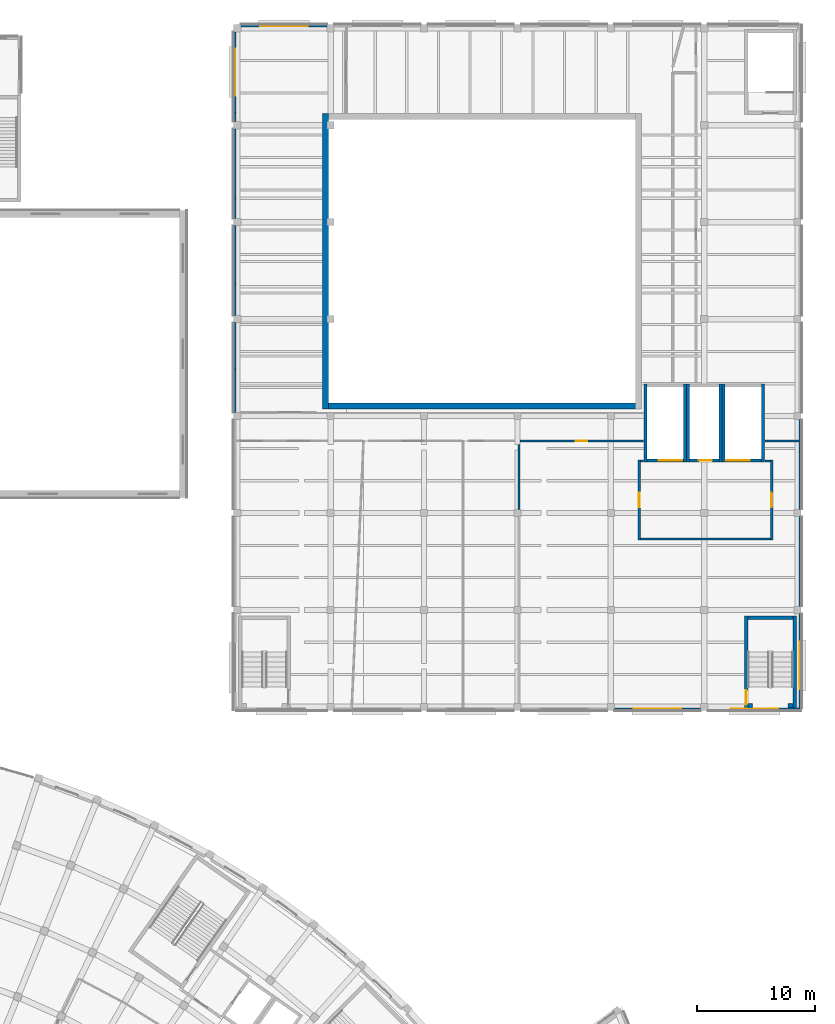
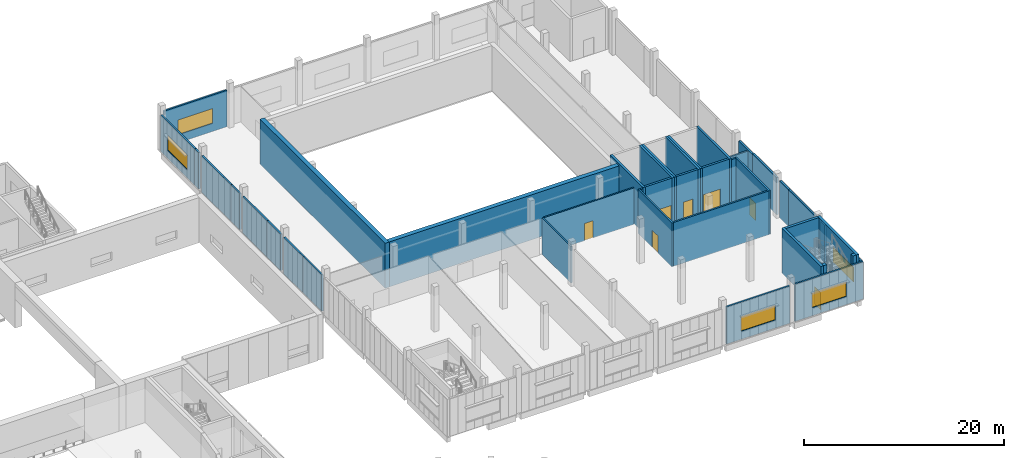
# One storey, part 45 of 87: 41 walls, 7 doors, 5 windows, 12 openings.
"""IFC4 building model written with IfcOpenShell, lengths in metres."""

from ifc_helpers import new_model, si_unit, direction, frame, frame_2d, origin, place, context, subcontext, project, spatial, rectangle, extrude, material, layer, layer_set, type_object, element, fill, save


model = new_model("IFC4")

# Units and contexts
model_context = context("Model", 3, precision=1e-05, world=origin(), true_north=direction((0.0, 1.0)))
body_context = subcontext(model_context, "Body", "Model", "MODEL_VIEW")
ifc_project = project(units=[si_unit("LENGTHUNIT", "METRE"), si_unit("AREAUNIT", "SQUARE_METRE"), si_unit("VOLUMEUNIT", "CUBIC_METRE"), si_unit("PLANEANGLEUNIT", "RADIAN"), si_unit("MASSUNIT", "GRAM", prefix="KILO")], contexts=[model_context])

# Site, building, storey
site_placement = place(None, origin())
site = spatial("IfcSite", under=ifc_project, at=site_placement, CompositionType="ELEMENT")
building_placement = place(site_placement, origin())
building = spatial("IfcBuilding", under=site, at=building_placement, Name="Lunette Opera House", CompositionType="ELEMENT")
storey_placement = place(building_placement, frame((0.0, 0.0, 11.5)))
storey = spatial("IfcBuildingStorey", under=building, at=storey_placement, Name="L02", CompositionType="ELEMENT", Elevation=11.5)

# Wall
ifc_material_1 = material(Name="Plastered clay blockwork", Category="masonry")
ifc_layer_1 = layer(ifc_material_1, 0.175048828125)
ifc_layer_set_1 = layer_set([ifc_layer_1], Name="Plastered clay blockwork")
wall_type_1 = type_object("IfcWallType", Name="ACOUSTIC BLOCK PARTITION 175", PredefinedType="PARTITIONING", material=ifc_layer_set_1)
wall_1_placement = place(storey_placement, frame((160.137939453125, 100.800048828125, 0.0), z_axis=(0.0, 0.0, 1.0), x_axis=(0.0, -1.0, 0.0)))
element("IfcWall", 1, at=wall_1_placement, inside=storey, type_object=wall_type_1, Name="Partition Prop Store", PredefinedType="PARTITIONING", context=body_context, shape_type="SweptSolid", body=[
    extrude(rectangle(XDim=5.799072265625, YDim=0.175048828125, at=frame_2d((2.8994140625, 0.0))), origin(), (0.0, 0.0, 1.0), 4.449951171875),
])

# Wall, opening, door
wall_2_placement = place(storey_placement, frame((170.64990234375, 100.800048828125, 0.0), z_axis=(0.0, 0.0, 1.0), x_axis=(-1.0, 0.0, 0.0)))
wall_2 = element("IfcWall", 2, at=wall_2_placement, inside=storey, type_object=wall_type_1, Name="Partition Prop Store", PredefinedType="PARTITIONING", context=body_context, shape_type="SweptSolid", body=[
    extrude(rectangle(XDim=10.423828125, YDim=0.175048828125, at=frame_2d((5.2119140625, 0.0))), origin(), (0.0, 0.0, 1.0), 4.449951171875),
])
opening_1_placement = place(wall_2_placement, frame((4.73095703125, 0.0, 0.0)))
opening_1 = element("IfcOpeningElement", 3, at=opening_1_placement, cuts=wall_2, Name="Opening WW-D3039", PredefinedType="OPENING", context=body_context, shape_type="SweptSolid", body=[
    extrude(rectangle(XDim=1.0, YDim=2.10009765625, at=frame_2d((0.5, 1.050048828125))), frame((0.0, 0.099609375, 0.0), z_axis=(0.0, -1.0, 0.0), x_axis=(1.0, 0.0, 0.0)), (0.0, 0.0, 1.0), 0.198974609375),
])
ifc_material_2 = material(Name="Timber", Category="wood")
door_type_1 = type_object("IfcDoorType", Name="FLUSH DOOR 1000 X 2100", OperationType="SINGLE_SWING_LEFT", PredefinedType="DOOR", material=ifc_material_2)
door_1_placement = place(opening_1_placement, origin())
door_1 = element("IfcDoor", 4, at=door_1_placement, inside=storey, type_object=door_type_1, Name="Prop Store door", OperationType="SINGLE_SWING_RIGHT", OverallHeight=2.10009765625, OverallWidth=1.0, PredefinedType="DOOR", context=body_context, shape_type="SweptSolid", body=[
    extrude(rectangle(XDim=1.0, YDim=2.10009765625, at=frame_2d((0.5, 1.050048828125))), frame((0.0, 0.02490234375, 0.0), z_axis=(0.0, -1.0, 0.0), x_axis=(1.0, 0.0, 0.0)), (0.0, 0.0, 1.0), 0.050048828125),
])
fill(opening_1, door_1)

# Wall
wall_3_placement = place(storey_placement, frame((183.800048828125, 100.800048828125, 0.0), z_axis=(0.0, 0.0, 1.0), x_axis=(-1.0, 0.0, 0.0)))
element("IfcWall", 5, at=wall_3_placement, inside=storey, type_object=wall_type_1, Name="Partition Prop Store", PredefinedType="PARTITIONING", context=body_context, shape_type="SweptSolid", body=[
    extrude(rectangle(XDim=2.85009765625, YDim=0.175048828125, at=frame_2d((1.425048828125, 0.0))), origin(), (0.0, 0.0, 1.0), 4.35009765625),
])

# Wall, opening, door
ifc_material_3 = material(Name="Concrete C35/45", Category="concrete")
ifc_layer_2 = layer(ifc_material_3, 0.199951171875)
ifc_layer_set_2 = layer_set([ifc_layer_2], Name="Concrete C35/45")
wall_type_2 = type_object("IfcWallType", Name="LOBBY WALL 200", PredefinedType="PARTITIONING", material=ifc_layer_set_2)
wall_4_placement = place(storey_placement, frame((181.5, 92.39990234375, 0.0), z_axis=(0.0, 0.0, 1.0), x_axis=(0.0, 1.0, 0.0)))
wall_4 = element("IfcWall", 6, at=wall_4_placement, inside=storey, type_object=wall_type_2, Name="LL-W lobby wall 1a", PredefinedType="PARTITIONING", context=body_context, shape_type="SweptSolid", body=[
    extrude(rectangle(XDim=6.800048828125, YDim=0.199951171875, at=frame_2d((3.39990234375, 0.0))), origin(), (0.0, 0.0, 1.0), 5.35009765625),
])
opening_2_placement = place(wall_4_placement, frame((2.800048828125, 0.0, 0.0)))
opening_2 = element("IfcOpeningElement", 7, at=opening_2_placement, cuts=wall_4, Name="Opening WW-D7021", PredefinedType="OPENING", context=body_context, shape_type="SweptSolid", body=[
    extrude(rectangle(XDim=1.199951171875, YDim=2.10009765625, at=frame_2d((0.60009765625, 1.050048828125))), frame((0.0, 0.112060546875, 0.0), z_axis=(0.0, -1.0, 0.0), x_axis=(1.0, 0.0, 0.0)), (0.0, 0.0, 1.0), 0.223876953125),
])
ifc_material_4 = material(Name="Steel", Category="steel")
door_type_2 = type_object("IfcDoorType", Name="FIRE DOOR 1200 X 2100", OperationType="SINGLE_SWING_LEFT", PredefinedType="DOOR", material=ifc_material_4)
door_2_placement = place(opening_2_placement, origin())
door_2 = element("IfcDoor", 8, at=door_2_placement, inside=storey, type_object=door_type_2, Name="LL-W lobby door", OperationType="SINGLE_SWING_LEFT", OverallHeight=2.10009765625, OverallWidth=1.199951171875, PredefinedType="DOOR", context=body_context, shape_type="SweptSolid", body=[
    extrude(rectangle(XDim=1.199951171875, YDim=2.10009765625, at=frame_2d((0.60009765625, 1.050048828125))), frame((0.0, 0.02490234375, 0.0), z_axis=(0.0, -1.0, 0.0), x_axis=(1.0, 0.0, 0.0)), (0.0, 0.0, 1.0), 0.050048828125),
])
fill(opening_2, door_2)

# Walls
wall_5_placement = place(storey_placement, frame((181.39990234375, 99.10009765625, 0.0), z_axis=(0.0, 0.0, 1.0), x_axis=(-1.0, 0.0, 0.0)))
element("IfcWall", 9, at=wall_5_placement, inside=storey, type_object=wall_type_2, Name="LL-W lobby wall 2a", PredefinedType="PARTITIONING", context=body_context, shape_type="SweptSolid", body=[
    extrude(rectangle(XDim=0.47998046875, YDim=0.199951171875, at=frame_2d((0.239990234375, 0.0))), origin(), (0.0, 0.0, 1.0), 5.35009765625),
])
wall_6_placement = place(storey_placement, frame((170.679931640625, 99.10009765625, 0.0), z_axis=(0.0, 0.0, 1.0), x_axis=(-1.0, 0.0, 0.0)))
element("IfcWall", 10, at=wall_6_placement, inside=storey, type_object=wall_type_2, Name="LL-W lobby wall 2b", PredefinedType="PARTITIONING", context=body_context, shape_type="SweptSolid", body=[
    extrude(rectangle(XDim=0.280029296875, YDim=0.199951171875, at=frame_2d((0.14013671875, 0.0))), origin(), (0.0, 0.0, 1.0), 5.35009765625),
])

# Wall, opening, door
wall_7_placement = place(storey_placement, frame((170.300048828125, 99.199951171875, 0.0), z_axis=(0.0, 0.0, 1.0), x_axis=(0.0, -1.0, 0.0)))
wall_7 = element("IfcWall", 11, at=wall_7_placement, inside=storey, type_object=wall_type_2, Name="LL-W lobby wall 3a", PredefinedType="PARTITIONING", context=body_context, shape_type="SweptSolid", body=[
    extrude(rectangle(XDim=6.800048828125, YDim=0.199951171875, at=frame_2d((3.39990234375, 0.0))), origin(), (0.0, 0.0, 1.0), 5.35009765625),
])
opening_3_placement = place(wall_7_placement, frame((2.800048828125, 0.0, 0.0)))
opening_3 = element("IfcOpeningElement", 12, at=opening_3_placement, cuts=wall_7, Name="Opening WW-D7022", PredefinedType="OPENING", context=body_context, shape_type="SweptSolid", body=[
    extrude(rectangle(XDim=1.199951171875, YDim=2.10009765625, at=frame_2d((0.60009765625, 1.050048828125))), frame((0.0, 0.112060546875, 0.0), z_axis=(0.0, -1.0, 0.0), x_axis=(1.0, 0.0, 0.0)), (0.0, 0.0, 1.0), 0.223876953125),
])
door_3_placement = place(opening_3_placement, origin())
door_3 = element("IfcDoor", 13, at=door_3_placement, inside=storey, type_object=door_type_2, Name="LL-W lobby door", OperationType="SINGLE_SWING_LEFT", OverallHeight=2.10009765625, OverallWidth=1.199951171875, PredefinedType="DOOR", context=body_context, shape_type="SweptSolid", body=[
    extrude(rectangle(XDim=1.199951171875, YDim=2.10009765625, at=frame_2d((0.60009765625, 1.050048828125))), frame((0.0, 0.02490234375, 0.0), z_axis=(0.0, -1.0, 0.0), x_axis=(1.0, 0.0, 0.0)), (0.0, 0.0, 1.0), 0.050048828125),
])
fill(opening_3, door_3)

# Walls
wall_8_placement = place(storey_placement, frame((170.39990234375, 92.5, 0.0), z_axis=(0.0, 0.0, 1.0), x_axis=(1.0, 0.0, 0.0)))
element("IfcWall", 14, at=wall_8_placement, inside=storey, type_object=wall_type_2, Name="LL-W lobby wall 4a", PredefinedType="PARTITIONING", context=body_context, shape_type="SweptSolid", body=[
    extrude(rectangle(XDim=11.0, YDim=0.199951171875, at=frame_2d((5.5, 0.0))), origin(), (0.0, 0.0, 1.0), 5.35009765625),
])
ifc_material_5 = material(Name="Concrete C35/45", Category="concrete")
ifc_layer_3 = layer(ifc_material_5, 0.25)
ifc_layer_set_3 = layer_set([ifc_layer_3], Name="Concrete C35/45")
wall_type_3 = type_object("IfcWallType", Name="RC LIFT SHAFT WALL 250", PredefinedType="SOLIDWALL", material=ifc_layer_set_3)
for number, where, z_axis, x_axis, name in (
    (15, (177.175048828125, 99.0, 0.0), (0.0, 0.0, 1.0), (0.0, 1.0, 0.0), "LF6 shaft wall 1"),
    (16, (174.425048828125, 105.60009765625, 0.0), (0.0, 0.0, 1.0), (0.0, -1.0, 0.0), "LF6 shaft wall 3"),
):
    element("IfcWall", number, at=place(storey_placement, frame(where, z_axis=z_axis, x_axis=x_axis)), inside=storey, type_object=wall_type_3, Name=name, PredefinedType="SOLIDWALL", context=body_context, shape_type="SweptSolid", body=[
        extrude(rectangle(XDim=6.60009765625, YDim=0.25, at=frame_2d((3.300048828125, 0.0))), origin(), (0.0, 0.0, 1.0), 5.5),
    ])

# Wall, opening, door
wall_9_placement = place(storey_placement, frame((174.550048828125, 99.125, 0.0), z_axis=(0.0, 0.0, 1.0), x_axis=(1.0, 0.0, 0.0)))
wall_9 = element("IfcWall", 17, at=wall_9_placement, inside=storey, type_object=wall_type_3, Name="LF6 shaft wall 4", PredefinedType="SOLIDWALL", context=body_context, shape_type="SweptSolid", body=[
    extrude(rectangle(XDim=2.5, YDim=0.25, at=frame_2d((1.25, 0.0))), origin(), (0.0, 0.0, 1.0), 5.5),
])
opening_4_placement = place(wall_9_placement, frame((0.800048828125, 0.0, 0.0)))
opening_4 = element("IfcOpeningElement", 18, at=opening_4_placement, cuts=wall_9, Name="Opening WW-LD004", PredefinedType="OPENING", context=body_context, shape_type="SweptSolid", body=[
    extrude(rectangle(XDim=1.10009765625, YDim=2.10009765625, at=frame_2d((0.550048828125, 1.050048828125))), frame((0.0, 0.136962890625, 0.0), z_axis=(0.0, -1.0, 0.0), x_axis=(1.0, 0.0, 0.0)), (0.0, 0.0, 1.0), 0.27392578125),
])
ifc_material_6 = material(Name="Stainless steel", Category="steel")
door_type_3 = type_object("IfcDoorType", Name="LIFT LANDING DOOR 1100 X 2100", OperationType="DOUBLE_DOOR_SLIDING", PredefinedType="DOOR", material=ifc_material_6)
door_4_placement = place(opening_4_placement, origin())
door_4 = element("IfcDoor", 19, at=door_4_placement, inside=storey, type_object=door_type_3, Name="LF6 lift landing door", OperationType="DOUBLE_DOOR_SLIDING", OverallHeight=2.10009765625, OverallWidth=1.10009765625, PredefinedType="DOOR", context=body_context, shape_type="SweptSolid", body=[
    extrude(rectangle(XDim=1.10009765625, YDim=2.10009765625, at=frame_2d((0.550048828125, 1.050048828125))), frame((0.0, 0.02490234375, 0.0), z_axis=(0.0, -1.0, 0.0), x_axis=(1.0, 0.0, 0.0)), (0.0, 0.0, 1.0), 0.050048828125),
])
fill(opening_4, door_4)

# Walls
for number, where, z_axis, x_axis, name in (
    (20, (174.175048828125, 99.0, 0.0), (0.0, 0.0, 1.0), (0.0, 1.0, 0.0), "LG2 shaft wall 1"),
    (21, (170.824951171875, 105.60009765625, 0.0), (0.0, 0.0, 1.0), (0.0, -1.0, 0.0), "LG2 shaft wall 3"),
):
    element("IfcWall", number, at=place(storey_placement, frame(where, z_axis=z_axis, x_axis=x_axis)), inside=storey, type_object=wall_type_3, Name=name, PredefinedType="SOLIDWALL", context=body_context, shape_type="SweptSolid", body=[
        extrude(rectangle(XDim=6.60009765625, YDim=0.25, at=frame_2d((3.300048828125, 0.0))), origin(), (0.0, 0.0, 1.0), 5.5),
    ])

# Wall, opening, door
wall_10_placement = place(storey_placement, frame((170.949951171875, 99.125, 0.0), z_axis=(0.0, 0.0, 1.0), x_axis=(1.0, 0.0, 0.0)))
wall_10 = element("IfcWall", 22, at=wall_10_placement, inside=storey, type_object=wall_type_3, Name="LG2 shaft wall 4", PredefinedType="SOLIDWALL", context=body_context, shape_type="SweptSolid", body=[
    extrude(rectangle(XDim=3.10009765625, YDim=0.25, at=frame_2d((1.550048828125, 0.0))), origin(), (0.0, 0.0, 1.0), 5.5),
])
opening_5_placement = place(wall_10_placement, frame((1.0, 0.0, 0.0)))
opening_5 = element("IfcOpeningElement", 23, at=opening_5_placement, cuts=wall_10, Name="Opening WW-LD009", PredefinedType="OPENING", context=body_context, shape_type="SweptSolid", body=[
    extrude(rectangle(XDim=2.0, YDim=2.199951171875, at=frame_2d((1.0, 1.10009765625))), frame((0.0, 0.136962890625, 0.0), z_axis=(0.0, -1.0, 0.0), x_axis=(1.0, 0.0, 0.0)), (0.0, 0.0, 1.0), 0.27392578125),
])
ifc_material_7 = material(Name="Stainless steel", Category="steel")
door_type_4 = type_object("IfcDoorType", Name="LIFT LANDING DOOR 2000 X 2200", OperationType="DOUBLE_DOOR_SLIDING", PredefinedType="DOOR", material=ifc_material_7)
door_5_placement = place(opening_5_placement, origin())
door_5 = element("IfcDoor", 24, at=door_5_placement, inside=storey, type_object=door_type_4, Name="LG2 lift landing door", OperationType="DOUBLE_DOOR_SLIDING", OverallHeight=2.199951171875, OverallWidth=2.0, PredefinedType="DOOR", context=body_context, shape_type="SweptSolid", body=[
    extrude(rectangle(XDim=2.0, YDim=2.199951171875, at=frame_2d((1.0, 1.10009765625))), frame((0.0, 0.02490234375, 0.0), z_axis=(0.0, -1.0, 0.0), x_axis=(1.0, 0.0, 0.0)), (0.0, 0.0, 1.0), 0.050048828125),
])
fill(opening_5, door_5)

# Walls
for number, where, z_axis, x_axis, name in (
    (25, (180.77490234375, 99.0, 0.0), (0.0, 0.0, 1.0), (0.0, 1.0, 0.0), "LG3 shaft wall 1"),
    (26, (177.425048828125, 105.60009765625, 0.0), (0.0, 0.0, 1.0), (0.0, -1.0, 0.0), "LG3 shaft wall 3"),
):
    element("IfcWall", number, at=place(storey_placement, frame(where, z_axis=z_axis, x_axis=x_axis)), inside=storey, type_object=wall_type_3, Name=name, PredefinedType="SOLIDWALL", context=body_context, shape_type="SweptSolid", body=[
        extrude(rectangle(XDim=6.60009765625, YDim=0.25, at=frame_2d((3.300048828125, 0.0))), origin(), (0.0, 0.0, 1.0), 5.5),
    ])

# Wall, opening, door
wall_11_placement = place(storey_placement, frame((177.550048828125, 99.125, 0.0), z_axis=(0.0, 0.0, 1.0), x_axis=(1.0, 0.0, 0.0)))
wall_11 = element("IfcWall", 27, at=wall_11_placement, inside=storey, type_object=wall_type_3, Name="LG3 shaft wall 4", PredefinedType="SOLIDWALL", context=body_context, shape_type="SweptSolid", body=[
    extrude(rectangle(XDim=3.099853515625, YDim=0.25, at=frame_2d((1.5498046875, 0.0))), origin(), (0.0, 0.0, 1.0), 5.5),
])
opening_6_placement = place(wall_11_placement, frame((0.10009765625, 0.0, 0.0)))
opening_6 = element("IfcOpeningElement", 28, at=opening_6_placement, cuts=wall_11, Name="Opening WW-LD014", PredefinedType="OPENING", context=body_context, shape_type="SweptSolid", body=[
    extrude(rectangle(XDim=2.0, YDim=2.199951171875, at=frame_2d((1.0, 1.10009765625))), frame((0.0, 0.136962890625, 0.0), z_axis=(0.0, -1.0, 0.0), x_axis=(1.0, 0.0, 0.0)), (0.0, 0.0, 1.0), 0.27392578125),
])
door_6_placement = place(opening_6_placement, origin())
door_6 = element("IfcDoor", 29, at=door_6_placement, inside=storey, type_object=door_type_4, Name="LG3 lift landing door", OperationType="DOUBLE_DOOR_SLIDING", OverallHeight=2.199951171875, OverallWidth=2.0, PredefinedType="DOOR", context=body_context, shape_type="SweptSolid", body=[
    extrude(rectangle(XDim=2.0, YDim=2.199951171875, at=frame_2d((1.0, 1.10009765625))), frame((0.0, 0.02490234375, 0.0), z_axis=(0.0, -1.0, 0.0), x_axis=(1.0, 0.0, 0.0)), (0.0, 0.0, 1.0), 0.050048828125),
])
fill(opening_6, door_6)

# Walls
ifc_material_8 = material(Name="Concrete C35/45", Category="concrete")
ifc_layer_4 = layer(ifc_material_8, 0.39990234375)
ifc_layer_set_4 = layer_set([ifc_layer_4], Name="Concrete C35/45")
wall_type_4 = type_object("IfcWallType", Name="RC PILASTER 400", PredefinedType="SOLIDWALL", material=ifc_layer_set_4)
wall_12_placement = place(storey_placement, frame((179.5, 78.39990234375, 0.0), z_axis=(0.0, 0.0, 1.0), x_axis=(1.0, 0.0, 0.0)))
element("IfcWall", 30, at=wall_12_placement, inside=storey, type_object=wall_type_4, Name="ST20 pilaster 1", PredefinedType="SOLIDWALL", context=body_context, shape_type="SweptSolid", body=[
    extrude(rectangle(XDim=0.39990234375, YDim=0.39990234375, at=frame_2d((0.199951171875, 0.0))), origin(), (0.0, 0.0, 1.0), 5.5),
])
wall_13_placement = place(storey_placement, frame((182.89990234375, 78.39990234375, 0.0), z_axis=(0.0, 0.0, 1.0), x_axis=(1.0, 0.0, 0.0)))
element("IfcWall", 31, at=wall_13_placement, inside=storey, type_object=wall_type_4, Name="ST20 pilaster 2", PredefinedType="SOLIDWALL", context=body_context, shape_type="SweptSolid", body=[
    extrude(rectangle(XDim=0.400146484375, YDim=0.39990234375, at=frame_2d((0.2001953125, 0.0))), origin(), (0.0, 0.0, 1.0), 5.5),
])
ifc_material_9 = material(Name="Concrete C35/45", Category="concrete")
ifc_layer_5 = layer(ifc_material_9, 0.300048828125)
ifc_layer_set_5 = layer_set([ifc_layer_5], Name="Concrete C35/45")
wall_type_5 = type_object("IfcWallType", Name="RC STAIR ENCLOSURE WALL 300", PredefinedType="SOLIDWALL", material=ifc_layer_set_5)
wall_14_placement = place(storey_placement, frame((183.449951171875, 78.199951171875, 0.0), z_axis=(0.0, 0.0, 1.0), x_axis=(0.0, 1.0, 0.0)))
element("IfcWall", 32, at=wall_14_placement, inside=storey, type_object=wall_type_5, Name="ST20 enclosure wall 1", PredefinedType="SOLIDWALL", context=body_context, shape_type="SweptSolid", body=[
    extrude(rectangle(XDim=7.800048828125, YDim=0.300048828125, at=frame_2d((3.89990234375, 0.0))), origin(), (0.0, 0.0, 1.0), 5.5),
])
wall_15_placement = place(storey_placement, frame((183.300048828125, 85.85009765625, 0.0), z_axis=(0.0, 0.0, 1.0), x_axis=(-1.0, 0.0, 0.0)))
element("IfcWall", 33, at=wall_15_placement, inside=storey, type_object=wall_type_5, Name="ST20 enclosure wall 2", PredefinedType="SOLIDWALL", context=body_context, shape_type="SweptSolid", body=[
    extrude(rectangle(XDim=3.800048828125, YDim=0.300048828125, at=frame_2d((1.89990234375, 0.0))), origin(), (0.0, 0.0, 1.0), 5.5),
])

# Wall, opening, door
wall_16_placement = place(storey_placement, frame((179.35009765625, 86.0, 0.0), z_axis=(0.0, 0.0, 1.0), x_axis=(0.0, -1.0, 0.0)))
wall_16 = element("IfcWall", 34, at=wall_16_placement, inside=storey, type_object=wall_type_5, Name="ST20 enclosure wall 3", PredefinedType="SOLIDWALL", context=body_context, shape_type="SweptSolid", body=[
    extrude(rectangle(XDim=7.800048828125, YDim=0.300048828125, at=frame_2d((3.89990234375, 0.0))), origin(), (0.0, 0.0, 1.0), 5.5),
])
opening_7_placement = place(wall_16_placement, frame((6.300048828125, 0.0, 0.0)))
opening_7 = element("IfcOpeningElement", 35, at=opening_7_placement, cuts=wall_16, Name="Opening WW-D7013", PredefinedType="OPENING", context=body_context, shape_type="SweptSolid", body=[
    extrude(rectangle(XDim=1.199951171875, YDim=2.10009765625, at=frame_2d((0.60009765625, 1.050048828125))), frame((0.0, 0.162109375, 0.0), z_axis=(0.0, -1.0, 0.0), x_axis=(1.0, 0.0, 0.0)), (0.0, 0.0, 1.0), 0.323974609375),
])
door_7_placement = place(opening_7_placement, origin())
door_7 = element("IfcDoor", 36, at=door_7_placement, inside=storey, type_object=door_type_2, Name="ST20 stair door", OperationType="SINGLE_SWING_LEFT", OverallHeight=2.10009765625, OverallWidth=1.199951171875, PredefinedType="DOOR", context=body_context, shape_type="SweptSolid", body=[
    extrude(rectangle(XDim=1.199951171875, YDim=2.10009765625, at=frame_2d((0.60009765625, 1.050048828125))), frame((0.0, 0.02490234375, 0.0), z_axis=(0.0, -1.0, 0.0), x_axis=(1.0, 0.0, 0.0)), (0.0, 0.0, 1.0), 0.050048828125),
])
fill(opening_7, door_7)

# Walls
ifc_material_10 = material(Name="Concrete C35/45", Category="concrete")
ifc_layer_6 = layer(ifc_material_10, 0.5)
ifc_layer_set_6 = layer_set([ifc_layer_6], Name="Concrete C35/45")
wall_type_6 = type_object("IfcWallType", Name="RC WALL 500", PredefinedType="SHEAR", material=ifc_layer_set_6)
wall_17_placement = place(storey_placement, frame((143.5, 103.75, 0.0), z_axis=(0.0, 0.0, 1.0), x_axis=(1.0, 0.0, 0.0)))
element("IfcWall", 37, at=wall_17_placement, inside=storey, type_object=wall_type_6, Name="wall-WW-L02-PH-S-1", PredefinedType="SHEAR", context=body_context, shape_type="SweptSolid", body=[
    extrude(rectangle(XDim=27.0, YDim=0.5, at=frame_2d((13.5, 0.0))), origin(), (0.0, 0.0, 1.0), 5.5),
])
wall_18_placement = place(storey_placement, frame((143.75, 103.5, 0.0), z_axis=(0.0, 0.0, 1.0), x_axis=(0.0, 1.0, 0.0)))
element("IfcWall", 38, at=wall_18_placement, inside=storey, type_object=wall_type_6, Name="wall-WW-L02-PH-W-1", PredefinedType="SHEAR", context=body_context, shape_type="SweptSolid", body=[
    extrude(rectangle(XDim=25.0, YDim=0.5, at=frame_2d((12.5, 0.0))), origin(), (0.0, 0.0, 1.0), 5.5),
])

# Wall, opening, window
ifc_material_11 = material(Name="Insulated aluminium sandwich panel", Category="aluminium")
ifc_layer_7 = layer(ifc_material_11, 0.199951171875)
ifc_layer_set_7 = layer_set([ifc_layer_7], Name="Insulated aluminium sandwich panel")
wall_type_7 = type_object("IfcWallType", Name="WORKSHOP METAL PANEL WALL 200", PredefinedType="SOLIDWALL", material=ifc_layer_set_7)
wall_19_placement = place(storey_placement, frame((183.89990234375, 78.199951171875, 0.0), z_axis=(0.0, 0.0, 1.0), x_axis=(0.0, 1.0, 0.0)))
wall_19 = element("IfcWall", 39, at=wall_19_placement, inside=storey, type_object=wall_type_7, Name="Workshop Metal Panel Wall 200 F01 L02", PredefinedType="SOLIDWALL", context=body_context, shape_type="SweptSolid", body=[
    extrude(rectangle(XDim=7.22509765625, YDim=0.199951171875, at=frame_2d((3.612548828125, 0.0))), origin(), (0.0, 0.0, 1.0), 4.550048828125),
])
opening_8_placement = place(wall_19_placement, frame((1.612060546875, 0.0, 1.0)))
opening_8 = element("IfcOpeningElement", 40, at=opening_8_placement, cuts=wall_19, Name="Opening WW-N2017", PredefinedType="OPENING", context=body_context, shape_type="SweptSolid", body=[
    extrude(rectangle(XDim=4.0, YDim=1.800048828125, at=frame_2d((2.0, 0.89990234375))), frame((0.0, 0.112060546875, 0.0), z_axis=(0.0, -1.0, 0.0), x_axis=(1.0, 0.0, 0.0)), (0.0, 0.0, 1.0), 0.223876953125),
])
ifc_material_12 = material(Name="Aluminium", Category="aluminium")
window_type = type_object("IfcWindowType", Name="WORKSHOP RIBBON WINDOW 4000 X 1800", PartitioningType="DOUBLE_PANEL_VERTICAL", PredefinedType="WINDOW", material=ifc_material_12)
window_1_placement = place(opening_8_placement, origin())
window_1 = element("IfcWindow", 41, at=window_1_placement, inside=storey, type_object=window_type, Name="Workshop Ribbon Window 4000 X 1800 F01 L02", OverallHeight=1.800048828125, OverallWidth=4.0, PartitioningType="DOUBLE_PANEL_VERTICAL", PredefinedType="WINDOW", context=body_context, shape_type="SweptSolid", body=[
    extrude(rectangle(XDim=4.0, YDim=1.800048828125, at=frame_2d((2.0, 0.89990234375))), frame((0.0, 0.030029296875, 0.0), z_axis=(0.0, -1.0, 0.0), x_axis=(1.0, 0.0, 0.0)), (0.0, 0.0, 1.0), 0.06005859375),
])
fill(opening_8, window_1)

# Walls
wall_20_placement = place(storey_placement, frame((183.89990234375, 85.425048828125, 0.0), z_axis=(0.0, 0.0, 1.0), x_axis=(0.0, 1.0, 0.0)))
element("IfcWall", 42, at=wall_20_placement, inside=storey, type_object=wall_type_7, Name="Workshop Metal Panel Wall 200 F02-1 L02", PredefinedType="SOLIDWALL", context=body_context, shape_type="SweptSolid", body=[
    extrude(rectangle(XDim=0.77490234375, YDim=0.199951171875, at=frame_2d((0.387451171875, 0.0))), origin(), (0.0, 0.0, 1.0), 4.550048828125),
])
wall_21_placement = place(storey_placement, frame((183.89990234375, 86.800048828125, 0.0), z_axis=(0.0, 0.0, 1.0), x_axis=(0.0, 1.0, 0.0)))
element("IfcWall", 43, at=wall_21_placement, inside=storey, type_object=wall_type_7, Name="Workshop Metal Panel Wall 200 F02-2 L02", PredefinedType="SOLIDWALL", context=body_context, shape_type="SweptSolid", body=[
    extrude(rectangle(XDim=5.849853515625, YDim=0.199951171875, at=frame_2d((2.9248046875, 0.0))), origin(), (0.0, 0.0, 1.0), 4.550048828125),
])
wall_22_placement = place(storey_placement, frame((183.89990234375, 92.64990234375, 0.0), z_axis=(0.0, 0.0, 1.0), x_axis=(0.0, 1.0, 0.0)))
element("IfcWall", 44, at=wall_22_placement, inside=storey, type_object=wall_type_7, Name="Workshop Metal Panel Wall 200 F03-1 L02", PredefinedType="SOLIDWALL", context=body_context, shape_type="SweptSolid", body=[
    extrude(rectangle(XDim=1.75, YDim=0.199951171875, at=frame_2d((0.875, 0.0))), origin(), (0.0, 0.0, 1.0), 4.550048828125),
])
wall_23_placement = place(storey_placement, frame((183.89990234375, 95.0, 0.0), z_axis=(0.0, 0.0, 1.0), x_axis=(0.0, 1.0, 0.0)))
element("IfcWall", 45, at=wall_23_placement, inside=storey, type_object=wall_type_7, Name="Workshop Metal Panel Wall 200 F03-2 L02", PredefinedType="SOLIDWALL", context=body_context, shape_type="SweptSolid", body=[
    extrude(rectangle(XDim=4.875, YDim=0.199951171875, at=frame_2d((2.4375, 0.0))), origin(), (0.0, 0.0, 1.0), 4.550048828125),
])
wall_24_placement = place(storey_placement, frame((183.89990234375, 99.875, 0.0), z_axis=(0.0, 0.0, 1.0), x_axis=(0.0, 1.0, 0.0)))
element("IfcWall", 46, at=wall_24_placement, inside=storey, type_object=wall_type_7, Name="Workshop Metal Panel Wall 200 F04-1 L02", PredefinedType="SOLIDWALL", context=body_context, shape_type="SweptSolid", body=[
    extrude(rectangle(XDim=2.72509765625, YDim=0.199951171875, at=frame_2d((1.362548828125, 0.0))), origin(), (0.0, 0.0, 1.0), 4.449951171875),
])

# Wall, opening, window
wall_25_placement = place(storey_placement, frame((143.89990234375, 135.89990234375, 0.0), z_axis=(0.0, 0.0, 1.0), x_axis=(-1.0, 0.0, 0.0)))
wall_25 = element("IfcWall", 47, at=wall_25_placement, inside=storey, type_object=wall_type_7, Name="Workshop Metal Panel Wall 200 F14 L02", PredefinedType="SOLIDWALL", context=body_context, shape_type="SweptSolid", body=[
    extrude(rectangle(XDim=7.2998046875, YDim=0.199951171875, at=frame_2d((3.64990234375, 0.0))), origin(), (0.0, 0.0, 1.0), 4.449951171875),
])
opening_9_placement = place(wall_25_placement, frame((1.64990234375, 0.0, 1.0)))
opening_9 = element("IfcOpeningElement", 48, at=opening_9_placement, cuts=wall_25, Name="Opening WW-N2024", PredefinedType="OPENING", context=body_context, shape_type="SweptSolid", body=[
    extrude(rectangle(XDim=4.0, YDim=1.800048828125, at=frame_2d((2.0, 0.89990234375))), frame((0.0, 0.112060546875, 0.0), z_axis=(0.0, -1.0, 0.0), x_axis=(1.0, 0.0, 0.0)), (0.0, 0.0, 1.0), 0.223876953125),
])
window_2_placement = place(opening_9_placement, origin())
window_2 = element("IfcWindow", 49, at=window_2_placement, inside=storey, type_object=window_type, Name="Workshop Ribbon Window 4000 X 1800 F14 L02", OverallHeight=1.800048828125, OverallWidth=4.0, PartitioningType="DOUBLE_PANEL_VERTICAL", PredefinedType="WINDOW", context=body_context, shape_type="SweptSolid", body=[
    extrude(rectangle(XDim=4.0, YDim=1.800048828125, at=frame_2d((2.0, 0.89990234375))), frame((0.0, 0.030029296875, 0.0), z_axis=(0.0, -1.0, 0.0), x_axis=(1.0, 0.0, 0.0)), (0.0, 0.0, 1.0), 0.06005859375),
])
fill(opening_9, window_2)

wall_26_placement = place(storey_placement, frame((136.10009765625, 135.39990234375, 0.0), z_axis=(0.0, 0.0, 1.0), x_axis=(0.0, -1.0, 0.0)))
wall_26 = element("IfcWall", 50, at=wall_26_placement, inside=storey, type_object=wall_type_7, Name="Workshop Metal Panel Wall 200 F15 L02", PredefinedType="SOLIDWALL", context=body_context, shape_type="SweptSolid", body=[
    extrude(rectangle(XDim=6.824951171875, YDim=0.199951171875, at=frame_2d((3.41259765625, 0.0))), origin(), (0.0, 0.0, 1.0), 4.449951171875),
])
opening_10_placement = place(wall_26_placement, frame((1.412109375, 0.0, 1.0)))
opening_10 = element("IfcOpeningElement", 51, at=opening_10_placement, cuts=wall_26, Name="Opening WW-N2025", PredefinedType="OPENING", context=body_context, shape_type="SweptSolid", body=[
    extrude(rectangle(XDim=4.0, YDim=1.800048828125, at=frame_2d((2.0, 0.89990234375))), frame((0.0, 0.112060546875, 0.0), z_axis=(0.0, -1.0, 0.0), x_axis=(1.0, 0.0, 0.0)), (0.0, 0.0, 1.0), 0.223876953125),
])
window_3_placement = place(opening_10_placement, origin())
window_3 = element("IfcWindow", 52, at=window_3_placement, inside=storey, type_object=window_type, Name="Workshop Ribbon Window 4000 X 1800 F15 L02", OverallHeight=1.800048828125, OverallWidth=4.0, PartitioningType="DOUBLE_PANEL_VERTICAL", PredefinedType="WINDOW", context=body_context, shape_type="SweptSolid", body=[
    extrude(rectangle(XDim=4.0, YDim=1.800048828125, at=frame_2d((2.0, 0.89990234375))), frame((0.0, 0.030029296875, 0.0), z_axis=(0.0, -1.0, 0.0), x_axis=(1.0, 0.0, 0.0)), (0.0, 0.0, 1.0), 0.06005859375),
])
fill(opening_10, window_3)

# Walls
wall_27_placement = place(storey_placement, frame((136.10009765625, 128.574951171875, 0.0), z_axis=(0.0, 0.0, 1.0), x_axis=(0.0, -1.0, 0.0)))
element("IfcWall", 53, at=wall_27_placement, inside=storey, type_object=wall_type_7, Name="Workshop Metal Panel Wall 200 F16-1 L02", PredefinedType="SOLIDWALL", context=body_context, shape_type="SweptSolid", body=[
    extrude(rectangle(XDim=0.77490234375, YDim=0.199951171875, at=frame_2d((0.387451171875, 0.0))), origin(), (0.0, 0.0, 1.0), 4.449951171875),
])
wall_28_placement = place(storey_placement, frame((136.10009765625, 127.199951171875, 0.0), z_axis=(0.0, 0.0, 1.0), x_axis=(0.0, -1.0, 0.0)))
element("IfcWall", 54, at=wall_28_placement, inside=storey, type_object=wall_type_7, Name="Workshop Metal Panel Wall 200 F16-2 L02", PredefinedType="SOLIDWALL", context=body_context, shape_type="SweptSolid", body=[
    extrude(rectangle(XDim=5.849853515625, YDim=0.199951171875, at=frame_2d((2.9248046875, 0.0))), origin(), (0.0, 0.0, 1.0), 4.449951171875),
])
wall_29_placement = place(storey_placement, frame((136.10009765625, 121.35009765625, 0.0), z_axis=(0.0, 0.0, 1.0), x_axis=(0.0, -1.0, 0.0)))
element("IfcWall", 55, at=wall_29_placement, inside=storey, type_object=wall_type_7, Name="Workshop Metal Panel Wall 200 F17-1 L02", PredefinedType="SOLIDWALL", context=body_context, shape_type="SweptSolid", body=[
    extrude(rectangle(XDim=1.75, YDim=0.199951171875, at=frame_2d((0.875, 0.0))), origin(), (0.0, 0.0, 1.0), 4.449951171875),
])
wall_30_placement = place(storey_placement, frame((136.10009765625, 119.0, 0.0), z_axis=(0.0, 0.0, 1.0), x_axis=(0.0, -1.0, 0.0)))
element("IfcWall", 56, at=wall_30_placement, inside=storey, type_object=wall_type_7, Name="Workshop Metal Panel Wall 200 F17-2 L02", PredefinedType="SOLIDWALL", context=body_context, shape_type="SweptSolid", body=[
    extrude(rectangle(XDim=4.875, YDim=0.199951171875, at=frame_2d((2.4375, 0.0))), origin(), (0.0, 0.0, 1.0), 4.449951171875),
])
wall_31_placement = place(storey_placement, frame((136.10009765625, 114.125, 0.0), z_axis=(0.0, 0.0, 1.0), x_axis=(0.0, -1.0, 0.0)))
element("IfcWall", 57, at=wall_31_placement, inside=storey, type_object=wall_type_7, Name="Workshop Metal Panel Wall 200 F18-1 L02", PredefinedType="SOLIDWALL", context=body_context, shape_type="SweptSolid", body=[
    extrude(rectangle(XDim=2.72509765625, YDim=0.199951171875, at=frame_2d((1.362548828125, 0.0))), origin(), (0.0, 0.0, 1.0), 4.449951171875),
])
wall_32_placement = place(storey_placement, frame((136.10009765625, 110.800048828125, 0.0), z_axis=(0.0, 0.0, 1.0), x_axis=(0.0, -1.0, 0.0)))
element("IfcWall", 58, at=wall_32_placement, inside=storey, type_object=wall_type_7, Name="Workshop Metal Panel Wall 200 F18-2 L02", PredefinedType="SOLIDWALL", context=body_context, shape_type="SweptSolid", body=[
    extrude(rectangle(XDim=3.900146484375, YDim=0.199951171875, at=frame_2d((1.9501953125, 0.0))), origin(), (0.0, 0.0, 1.0), 4.449951171875),
])
wall_33_placement = place(storey_placement, frame((136.10009765625, 106.89990234375, 0.0), z_axis=(0.0, 0.0, 1.0), x_axis=(0.0, -1.0, 0.0)))
element("IfcWall", 59, at=wall_33_placement, inside=storey, type_object=wall_type_7, Name="Workshop Metal Panel Wall 200 F19-1 L02", PredefinedType="SOLIDWALL", context=body_context, shape_type="SweptSolid", body=[
    extrude(rectangle(XDim=3.699951171875, YDim=0.199951171875, at=frame_2d((1.85009765625, 0.0))), origin(), (0.0, 0.0, 1.0), 4.449951171875),
])

# Wall, opening, window
wall_34_placement = place(storey_placement, frame((168.199951171875, 78.10009765625, 0.0), z_axis=(0.0, 0.0, 1.0), x_axis=(1.0, 0.0, 0.0)))
wall_34 = element("IfcWall", 60, at=wall_34_placement, inside=storey, type_object=wall_type_7, Name="Workshop Metal Panel Wall 200 F27 L02", PredefinedType="SOLIDWALL", context=body_context, shape_type="SweptSolid", body=[
    extrude(rectangle(XDim=7.300048828125, YDim=0.199951171875, at=frame_2d((3.64990234375, 0.0))), origin(), (0.0, 0.0, 1.0), 4.550048828125),
])
opening_11_placement = place(wall_34_placement, frame((1.64990234375, 0.0, 1.0)))
opening_11 = element("IfcOpeningElement", 61, at=opening_11_placement, cuts=wall_34, Name="Opening WW-N2031", PredefinedType="OPENING", context=body_context, shape_type="SweptSolid", body=[
    extrude(rectangle(XDim=4.0, YDim=1.800048828125, at=frame_2d((2.0, 0.89990234375))), frame((0.0, 0.112060546875, 0.0), z_axis=(0.0, -1.0, 0.0), x_axis=(1.0, 0.0, 0.0)), (0.0, 0.0, 1.0), 0.223876953125),
])
window_4_placement = place(opening_11_placement, origin())
window_4 = element("IfcWindow", 62, at=window_4_placement, inside=storey, type_object=window_type, Name="Workshop Ribbon Window 4000 X 1800 F27 L02", OverallHeight=1.800048828125, OverallWidth=4.0, PartitioningType="DOUBLE_PANEL_VERTICAL", PredefinedType="WINDOW", context=body_context, shape_type="SweptSolid", body=[
    extrude(rectangle(XDim=4.0, YDim=1.800048828125, at=frame_2d((2.0, 0.89990234375))), frame((0.0, 0.030029296875, 0.0), z_axis=(0.0, -1.0, 0.0), x_axis=(1.0, 0.0, 0.0)), (0.0, 0.0, 1.0), 0.06005859375),
])
fill(opening_11, window_4)

wall_35_placement = place(storey_placement, frame((176.10009765625, 78.10009765625, 0.0), z_axis=(0.0, 0.0, 1.0), x_axis=(1.0, 0.0, 0.0)))
wall_35 = element("IfcWall", 63, at=wall_35_placement, inside=storey, type_object=wall_type_7, Name="Workshop Metal Panel Wall 200 F28 L02", PredefinedType="SOLIDWALL", context=body_context, shape_type="SweptSolid", body=[
    extrude(rectangle(XDim=7.89990234375, YDim=0.199951171875, at=frame_2d((3.949951171875, 0.0))), origin(), (0.0, 0.0, 1.0), 4.550048828125),
])
opening_12_placement = place(wall_35_placement, frame((1.949951171875, 0.0, 1.0)))
opening_12 = element("IfcOpeningElement", 64, at=opening_12_placement, cuts=wall_35, Name="Opening WW-N2032", PredefinedType="OPENING", context=body_context, shape_type="SweptSolid", body=[
    extrude(rectangle(XDim=4.0, YDim=1.800048828125, at=frame_2d((2.0, 0.89990234375))), frame((0.0, 0.112060546875, 0.0), z_axis=(0.0, -1.0, 0.0), x_axis=(1.0, 0.0, 0.0)), (0.0, 0.0, 1.0), 0.223876953125),
])
window_5_placement = place(opening_12_placement, origin())
window_5 = element("IfcWindow", 65, at=window_5_placement, inside=storey, type_object=window_type, Name="Workshop Ribbon Window 4000 X 1800 F28 L02", OverallHeight=1.800048828125, OverallWidth=4.0, PartitioningType="DOUBLE_PANEL_VERTICAL", PredefinedType="WINDOW", context=body_context, shape_type="SweptSolid", body=[
    extrude(rectangle(XDim=4.0, YDim=1.800048828125, at=frame_2d((2.0, 0.89990234375))), frame((0.0, 0.030029296875, 0.0), z_axis=(0.0, -1.0, 0.0), x_axis=(1.0, 0.0, 0.0)), (0.0, 0.0, 1.0), 0.06005859375),
])
fill(opening_12, window_5)

save(model, "model.ifc")
